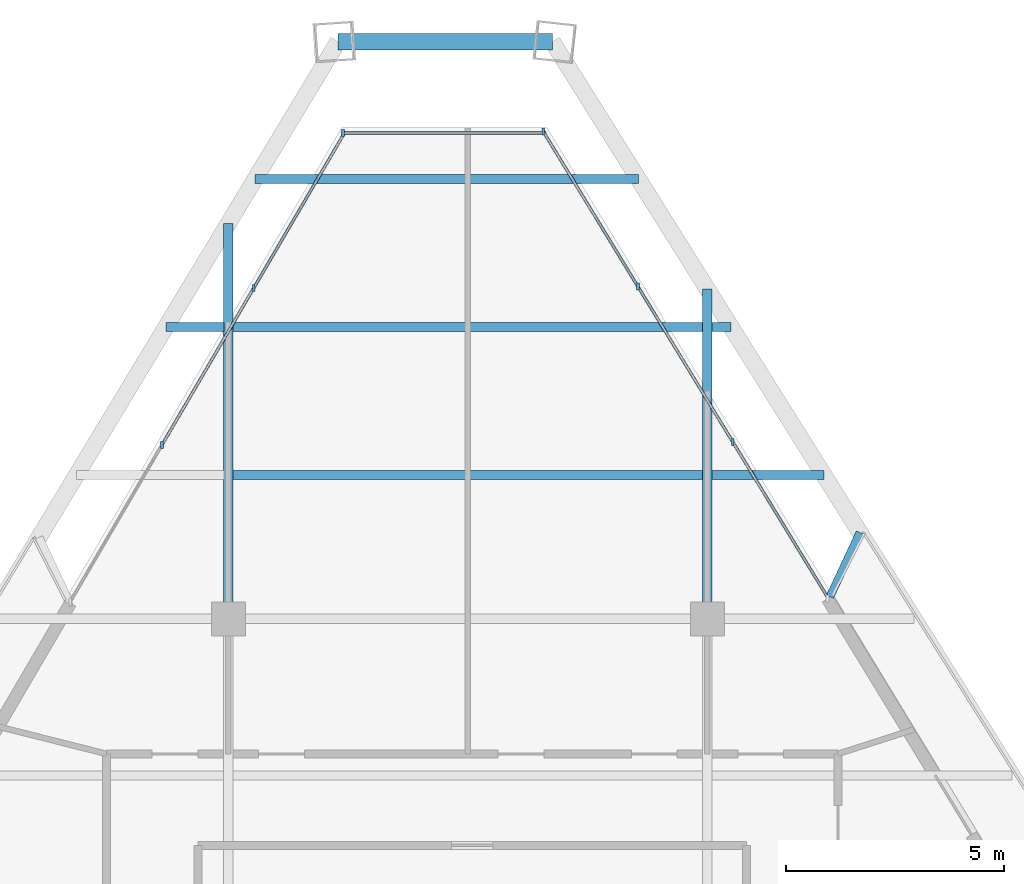
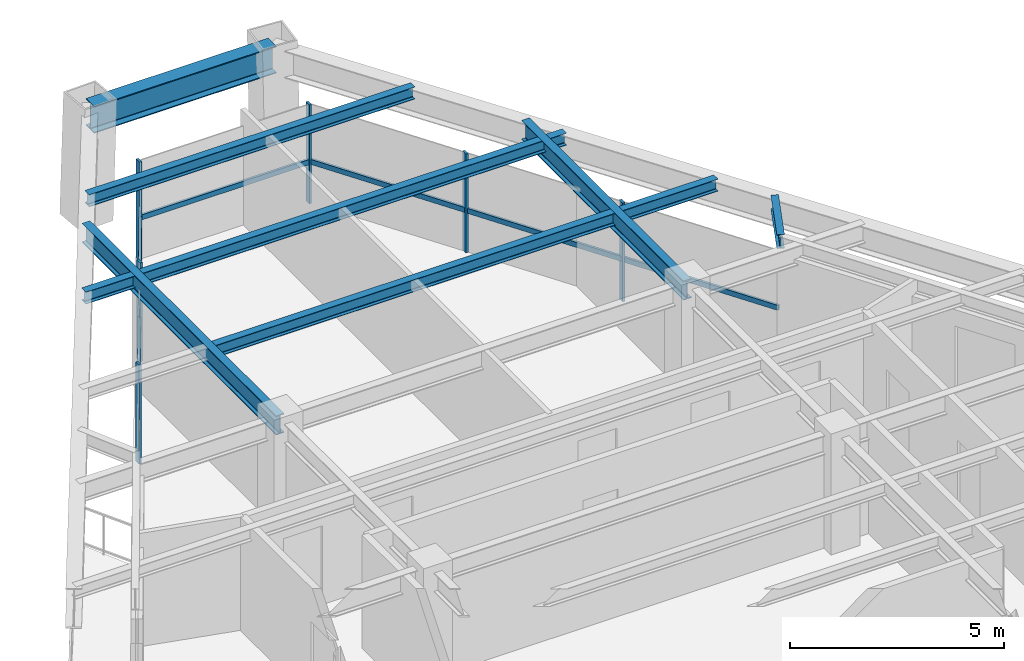
# One storey, part 7 of 13: 12 members, 9 beams, 3 elements without a shape of their own.
"""IFC4 building model written with IfcOpenShell, lengths in metres."""

from ifc_helpers import new_model, si_unit, direction, frame, origin, origin_2d, place, context, subcontext, project, spatial, rectangle, i_section, extrude, source, transform, mapped, material, material_profile, profile_set, type_object, type_shapes, element, aggregate, save


model = new_model("IFC4")

# Units and contexts
model_context = context("Model", 3, precision=1e-05, world=origin(), true_north=direction((0.0, 1.0)))
body_context = subcontext(model_context, "Body", "Model", "MODEL_VIEW")
ifc_project = project(units=[si_unit("LENGTHUNIT", "METRE"), si_unit("AREAUNIT", "SQUARE_METRE"), si_unit("VOLUMEUNIT", "CUBIC_METRE"), si_unit("PLANEANGLEUNIT", "RADIAN"), si_unit("MASSUNIT", "GRAM", prefix="KILO")], contexts=[model_context])

# Site, building, storey
site_placement = place(None, origin())
site = spatial("IfcSite", under=ifc_project, at=site_placement, CompositionType="ELEMENT")
building_placement = place(site_placement, origin())
building = spatial("IfcBuilding", under=site, at=building_placement, Name="Varnakhor Terracotta Tower", CompositionType="ELEMENT")
storey_placement = place(building_placement, frame((0.0, 0.0, 251.050048828125)))
storey = spatial("IfcBuildingStorey", under=building, at=storey_placement, Name="L65", CompositionType="ELEMENT", Elevation=251.050048828125)

# Beams
ifc_material_1 = material(Name="Steel S355", Category="steel")
ifc_material_profile_1 = material_profile(ifc_material_1, i_section(OverallWidth=0.202880859375, OverallDepth=0.346923828125, WebThickness=0.0078125, FlangeThickness=0.013427734375, FilletRadius=0.01806640625, at=origin_2d()), Name="W14X43")
ifc_profile_set_1 = profile_set([ifc_material_profile_1], Name="Steel S355")
beam_type_1 = type_object("IfcBeamType", Name="JST-W14X43", PredefinedType="JOIST", material=ifc_profile_set_1)
shared_shape_1 = source(origin(), body_context, "Body", "SweptSolid", [
    extrude(i_section(OverallWidth=0.202880859375, OverallDepth=0.346923828125, WebThickness=0.0078125, FlangeThickness=0.013427734375, FilletRadius=0.01806640625, at=origin_2d()), origin(), (0.0, 0.0, 1.0), 10.7939453125),
])
beam_1_placement = place(storey_placement, frame((-5.39697265625, 34.800048828125, 3.06640625), z_axis=(1.0, 0.0, 0.0), x_axis=(0.0, 1.0, 0.0)))
element("IfcBeam", 1, at=beam_1_placement, inside=storey, type_object=beam_type_1, Name="L65 Composite Floor Joist 7-2", PredefinedType="JOIST", context=body_context, shape_type="MappedRepresentation", body=[
    mapped(shared_shape_1, transform((0.0, 0.0, 0.0), scale=1.0)),
])
ifc_material_profile_2 = material_profile(ifc_material_1, i_section(OverallWidth=0.381103515625, OverallDepth=0.77294921875, WebThickness=0.01708984375, FlangeThickness=0.027099609375, FilletRadius=0.01806640625, at=origin_2d()), Name="W30X173")
ifc_profile_set_2 = profile_set([ifc_material_profile_2], Name="Steel S355")
beam_type_2 = type_object("IfcBeamType", Name="BM-W30X173", PredefinedType="BEAM", material=ifc_profile_set_2)
shared_shape_2 = source(origin(), body_context, "Body", "SweptSolid", [
    extrude(i_section(OverallWidth=0.381103515625, OverallDepth=0.77294921875, WebThickness=0.01708984375, FlangeThickness=0.027099609375, FilletRadius=0.01806640625, at=origin_2d()), origin(), (0.0, 0.0, 1.0), 4.9208984375),
])
beam_2_placement = place(storey_placement, frame((1.939697265625, 44.752197265625, 2.853515625), z_axis=(-1.0, 0.0, 0.0), x_axis=(0.0, -1.0, 0.0)))
element("IfcBeam", 2, at=beam_2_placement, inside=storey, type_object=beam_type_2, Name="L65 Perimeter Spandrel 5", PredefinedType="BEAM", context=body_context, shape_type="MappedRepresentation", body=[
    mapped(shared_shape_2, transform((0.0, 0.0, 0.0), scale=1.0)),
])
ifc_material_profile_3 = material_profile(ifc_material_1, i_section(OverallWidth=0.214111328125, OverallDepth=0.549072265625, WebThickness=0.014892578125, FlangeThickness=0.02392578125, FilletRadius=0.01806640625, at=origin_2d()), Name="W21X93")
ifc_profile_set_3 = profile_set([ifc_material_profile_3], Name="Steel S355")
beam_type_3 = type_object("IfcBeamType", Name="BM-W21X93", PredefinedType="BEAM", material=ifc_profile_set_3)
shared_shape_3 = source(origin(), body_context, "Body", "SweptSolid", [
    extrude(i_section(OverallWidth=0.214111328125, OverallDepth=0.549072265625, WebThickness=0.014892578125, FlangeThickness=0.02392578125, FilletRadius=0.01806640625, at=origin_2d()), origin(), (0.0, 0.0, 1.0), 9.076904296875),
])
beam_3_placement = place(storey_placement, frame((-5.5, 31.5, 2.96533203125), z_axis=(0.0, 1.0, 0.0), x_axis=(-1.0, 0.0, 0.0)))
element("IfcBeam", 3, at=beam_3_placement, inside=storey, type_object=beam_type_3, Name="L65 Primary Girder NS3-W", PredefinedType="BEAM", context=body_context, shape_type="MappedRepresentation", body=[
    mapped(shared_shape_3, transform((0.0, 0.0, 0.0), scale=1.0)),
])
shared_shape_4 = source(origin(), body_context, "Body", "SweptSolid", [
    extrude(i_section(OverallWidth=0.214111328125, OverallDepth=0.549072265625, WebThickness=0.014892578125, FlangeThickness=0.02392578125, FilletRadius=0.01806640625, at=origin_2d()), origin(), (0.0, 0.0, 1.0), 7.569580078125),
])
beam_4_placement = place(storey_placement, frame((5.5, 31.5, 2.96533203125), z_axis=(0.0, 1.0, 0.0), x_axis=(-1.0, 0.0, 0.0)))
element("IfcBeam", 4, at=beam_4_placement, inside=storey, type_object=beam_type_3, Name="L65 Primary Girder NS3-E", PredefinedType="BEAM", context=body_context, shape_type="MappedRepresentation", body=[
    mapped(shared_shape_4, transform((0.0, 0.0, 0.0), scale=1.0)),
])
shared_shape_5 = source(origin(), body_context, "Body", "SweptSolid", [
    extrude(i_section(OverallWidth=0.202880859375, OverallDepth=0.346923828125, WebThickness=0.0078125, FlangeThickness=0.013427734375, FilletRadius=0.01806640625, at=origin_2d()), origin(), (0.0, 0.0, 1.0), 2.572021484375),
])
beam_5_placement = place(storey_placement, frame((5.60302734375, 34.800048828125, 3.06640625), z_axis=(1.0, 0.0, 0.0), x_axis=(0.0, 1.0, 0.0)))
element("IfcBeam", 5, at=beam_5_placement, inside=storey, type_object=beam_type_1, Name="L65 Composite Floor Joist 7-3", PredefinedType="JOIST", context=body_context, shape_type="MappedRepresentation", body=[
    mapped(shared_shape_5, transform((0.0, 0.0, 0.0), scale=1.0)),
])
shared_shape_6 = source(origin(), body_context, "Body", "SweptSolid", [
    extrude(i_section(OverallWidth=0.202880859375, OverallDepth=0.346923828125, WebThickness=0.0078125, FlangeThickness=0.013427734375, FilletRadius=0.01806640625, at=origin_2d()), origin(), (0.0, 0.0, 1.0), 1.330810546875),
])
beam_6_placement = place(storey_placement, frame((-6.933837890625, 38.199951171875, 3.06640625), z_axis=(1.0, 0.0, 0.0), x_axis=(0.0, 1.0, 0.0)))
element("IfcBeam", 6, at=beam_6_placement, inside=storey, type_object=beam_type_1, Name="L65 Composite Floor Joist 8-1", PredefinedType="JOIST", context=body_context, shape_type="MappedRepresentation", body=[
    mapped(shared_shape_6, transform((0.0, 0.0, 0.0), scale=1.0)),
])
shared_shape_7 = source(origin(), body_context, "Body", "SweptSolid", [
    extrude(i_section(OverallWidth=0.202880859375, OverallDepth=0.346923828125, WebThickness=0.0078125, FlangeThickness=0.013427734375, FilletRadius=0.01806640625, at=origin_2d()), origin(), (0.0, 0.0, 1.0), 11.44189453125),
])
beam_7_placement = place(storey_placement, frame((-5.39697265625, 38.199951171875, 3.06640625), z_axis=(1.0, 0.0, 0.0), x_axis=(0.0, 1.0, 0.0)))
element("IfcBeam", 7, at=beam_7_placement, inside=storey, type_object=beam_type_1, Name="L65 Composite Floor Joist 8-2", PredefinedType="JOIST", context=body_context, shape_type="MappedRepresentation", body=[
    mapped(shared_shape_7, transform((0.0, 0.0, 0.0), scale=1.0)),
])
shared_shape_8 = source(origin(), body_context, "Body", "SweptSolid", [
    extrude(i_section(OverallWidth=0.202880859375, OverallDepth=0.346923828125, WebThickness=0.0078125, FlangeThickness=0.013427734375, FilletRadius=0.01806640625, at=origin_2d()), origin(), (0.0, 0.0, 1.0), 8.797607421875),
])
beam_8_placement = place(storey_placement, frame((-4.8828125, 41.60009765625, 3.06640625), z_axis=(1.0, 0.0, 0.0), x_axis=(0.0, 1.0, 0.0)))
element("IfcBeam", 8, at=beam_8_placement, inside=storey, type_object=beam_type_1, Name="L65 Composite Floor Joist 9-1", PredefinedType="JOIST", context=body_context, shape_type="MappedRepresentation", body=[
    mapped(shared_shape_8, transform((0.0, 0.0, 0.0), scale=1.0)),
])
ifc_material_profile_4 = material_profile(ifc_material_1, i_section(OverallWidth=0.179931640625, OverallDepth=0.39990234375, WebThickness=0.008544921875, FlangeThickness=0.013427734375, FilletRadius=0.01806640625, at=origin_2d()), Name="IPE400")
ifc_profile_set_4 = profile_set([ifc_material_profile_4], Name="Steel S355")
beam_type_4 = type_object("IfcBeamType", Name="JST-IPE400", PredefinedType="JOIST", material=ifc_profile_set_4)
shared_shape_9 = source(origin(), body_context, "Body", "SweptSolid", [
    extrude(i_section(OverallWidth=0.179931640625, OverallDepth=0.39990234375, WebThickness=0.008544921875, FlangeThickness=0.013427734375, FilletRadius=0.01806640625, at=origin_2d()), origin(), (0.0, 0.0, 1.0), 1.62939453125),
])
beam_9_placement = place(storey_placement, frame((8.311279296875, 32.005859375, 3.0400390625), z_axis=(0.422959283392, 0.906148687905, 0.0), x_axis=(-0.906148687905, 0.422959283392, 0.0)))
element("IfcBeam", 9, at=beam_9_placement, inside=storey, type_object=beam_type_4, Name="L66 E Loggia Tie Beam 1", PredefinedType="JOIST", context=body_context, shape_type="MappedRepresentation", body=[
    mapped(shared_shape_9, transform((0.0, 0.0, 0.0), scale=1.0)),
])

# Curtain wall, members
ifc_material_2 = material(Name="Anodised Aluminium Curtain Wall System", Category="aluminium")
curtain_wall_type = type_object("IfcCurtainWallType", Name="CW-SYS-HOTEL-LOGGIA", PredefinedType="NOTDEFINED", material=ifc_material_2)
curtain_wall_1_placement = place(storey_placement, origin())
curtain_wall_1 = element("IfcCurtainWall", 10, at=curtain_wall_1_placement, inside=storey, type_object=curtain_wall_type, Name="L65 W Facet Curtain Wall 2", PredefinedType="NOTDEFINED")
ifc_material_3 = material(Name="Anodised Aluminium 6063-T6", Category="aluminium")
ifc_material_profile_5 = material_profile(ifc_material_3, rectangle(XDim=0.06494140625, YDim=0.159912109375, at=origin_2d()), Name="ALU MULLION 65x160")
ifc_profile_set_5 = profile_set([ifc_material_profile_5], Name="Anodised Aluminium 6063-T6")
member_type_1 = type_object("IfcMemberType", Name="CWM-04", PredefinedType="MULLION", material=ifc_profile_set_5)
shared_shape_10 = source(origin(), body_context, "Body", "SweptSolid", [
    extrude(rectangle(XDim=0.06494140625, YDim=0.159912109375, at=origin_2d()), origin(), (0.0, 0.0, 1.0), 2.820068359375),
])
type_shapes(member_type_1, [shared_shape_10])
member_1_placement = place(storey_placement, frame((-7.0224609375, 35.49365234375, 0.0), z_axis=(0.0, 0.0, 1.0), x_axis=(1.0, 0.0, 0.0)))
member_1 = element("IfcMember", 11, at=member_1_placement, type_object=member_type_1, Name="L65 W Facet Curtain Wall 2 Mullion 2", PredefinedType="MULLION", context=body_context, shape_type="MappedRepresentation", body=[
    mapped(shared_shape_10, transform((0.0, 0.0, 0.0), scale=1.0)),
])
member_2_placement = place(storey_placement, frame((-4.9169921875, 39.092041015625, 0.0), z_axis=(0.0, 0.0, 1.0), x_axis=(1.0, 0.0, 0.0)))
member_2 = element("IfcMember", 12, at=member_2_placement, type_object=member_type_1, Name="L65 W Facet Curtain Wall 2 Mullion 3", PredefinedType="MULLION", context=body_context, shape_type="MappedRepresentation", body=[
    mapped(shared_shape_10, transform((0.0, 0.0, 0.0), scale=1.0)),
])

# Curtain wall, member
curtain_wall_2_placement = place(storey_placement, origin())
curtain_wall_2 = element("IfcCurtainWall", 13, at=curtain_wall_2_placement, inside=storey, type_object=curtain_wall_type, Name="L65 Facet Curtain Wall 2", PredefinedType="NOTDEFINED")
member_3_placement = place(storey_placement, frame((-2.8701171875, 42.65673828125, 0.0), z_axis=(0.0, 0.0, 1.0), x_axis=(1.0, 0.0, 0.0)))
member_3 = element("IfcMember", 14, at=member_3_placement, type_object=member_type_1, Name="L65 Facet Curtain Wall 2 Mullion 1", PredefinedType="MULLION", context=body_context, shape_type="MappedRepresentation", body=[
    mapped(shared_shape_10, transform((0.0, 0.0, 0.0), scale=1.0)),
])

# Curtain wall, members
curtain_wall_3_placement = place(storey_placement, origin())
curtain_wall_3 = element("IfcCurtainWall", 15, at=curtain_wall_3_placement, inside=storey, type_object=curtain_wall_type, Name="L65 E Facet Curtain Wall 1", PredefinedType="NOTDEFINED")
member_4_placement = place(storey_placement, frame((1.731689453125, 42.688720703125, 0.0), z_axis=(0.0, 0.0, 1.0), x_axis=(1.0, 0.0, 0.0)))
member_4 = element("IfcMember", 16, at=member_4_placement, type_object=member_type_1, Name="L65 E Facet Curtain Wall 1 Mullion 1", PredefinedType="MULLION", context=body_context, shape_type="MappedRepresentation", body=[
    mapped(shared_shape_10, transform((0.0, 0.0, 0.0), scale=1.0)),
])
member_5_placement = place(storey_placement, frame((3.906982421875, 39.125, 0.0), z_axis=(0.0, 0.0, 1.0), x_axis=(1.0, 0.0, 0.0)))
member_5 = element("IfcMember", 17, at=member_5_placement, type_object=member_type_1, Name="L65 E Facet Curtain Wall 1 Mullion 2", PredefinedType="MULLION", context=body_context, shape_type="MappedRepresentation", body=[
    mapped(shared_shape_10, transform((0.0, 0.0, 0.0), scale=1.0)),
])
member_6_placement = place(storey_placement, frame((6.08251953125, 35.561279296875, 0.0), z_axis=(0.0, 0.0, 1.0), x_axis=(1.0, 0.0, 0.0)))
member_6 = element("IfcMember", 18, at=member_6_placement, type_object=member_type_1, Name="L65 E Facet Curtain Wall 1 Mullion 3", PredefinedType="MULLION", context=body_context, shape_type="MappedRepresentation", body=[
    mapped(shared_shape_10, transform((0.0, 0.0, 0.0), scale=1.0)),
])

# Member
ifc_material_profile_6 = material_profile(ifc_material_3, rectangle(XDim=0.06494140625, YDim=0.14501953125, at=origin_2d()), Name="ALU TRANSOM 65x145")
ifc_profile_set_6 = profile_set([ifc_material_profile_6], Name="Anodised Aluminium 6063-T6")
member_type_2 = type_object("IfcMemberType", Name="CWT-04", PredefinedType="USERDEFINED", material=ifc_profile_set_6)
shared_shape_11 = source(origin(), body_context, "Body", "SweptSolid", [
    extrude(rectangle(XDim=0.06494140625, YDim=0.14501953125, at=origin_2d()), origin(), (0.0, 0.0, 1.0), 4.169189453125),
])
member_7_placement = place(storey_placement, frame((-7.0224609375, 35.49365234375, 1.184326171875), z_axis=(0.505017498829, 0.863109104272, 0.0), x_axis=(-0.863109104272, 0.505017498829, 0.0)))
member_7 = element("IfcMember", 19, at=member_7_placement, type_object=member_type_2, Name="L65 W Facet Curtain Wall 2 Transom 2", ObjectType="TRANSOM", PredefinedType="USERDEFINED", context=body_context, shape_type="MappedRepresentation", body=[
    mapped(shared_shape_11, transform((0.0, 0.0, 0.0), scale=1.0)),
])

shared_shape_12 = source(origin(), body_context, "Body", "SweptSolid", [
    extrude(rectangle(XDim=0.06494140625, YDim=0.14501953125, at=origin_2d()), origin(), (0.0, 0.0, 1.0), 4.1689453125),
])
member_8_placement = place(storey_placement, frame((-4.9169921875, 39.092041015625, 1.184326171875), z_axis=(0.505043025136, 0.863094167957, 0.0), x_axis=(-0.863094167957, 0.505043025136, 0.0)))
member_8 = element("IfcMember", 20, at=member_8_placement, type_object=member_type_2, Name="L65 W Facet Curtain Wall 2 Transom 3", ObjectType="TRANSOM", PredefinedType="USERDEFINED", context=body_context, shape_type="MappedRepresentation", body=[
    mapped(shared_shape_12, transform((0.0, 0.0, 0.0), scale=1.0)),
])

aggregate(curtain_wall_1, [member_1, member_7, member_2, member_8])

shared_shape_13 = source(origin(), body_context, "Body", "SweptSolid", [
    extrude(rectangle(XDim=0.06494140625, YDim=0.14501953125, at=origin_2d()), origin(), (0.0, 0.0, 1.0), 4.65869140625),
])
member_9_placement = place(storey_placement, frame((-2.8701171875, 42.65673828125, 1.184326171875), z_axis=(1.0, 0.0, 0.0), x_axis=(0.0, 1.0, 0.0)))
member_9 = element("IfcMember", 21, at=member_9_placement, type_object=member_type_2, Name="L65 Facet Curtain Wall 2 Transom 1", ObjectType="TRANSOM", PredefinedType="USERDEFINED", context=body_context, shape_type="MappedRepresentation", body=[
    mapped(shared_shape_13, transform((0.0, 0.0, 0.0), scale=1.0)),
])

aggregate(curtain_wall_2, [member_3, member_9])

shared_shape_14 = source(origin(), body_context, "Body", "SweptSolid", [
    extrude(rectangle(XDim=0.06494140625, YDim=0.14501953125, at=origin_2d()), origin(), (0.0, 0.0, 1.0), 4.175048828125),
])
member_10_placement = place(storey_placement, frame((1.731689453125, 42.688720703125, 1.184326171875), z_axis=(0.521007635788, -0.853552015668, 0.0), x_axis=(0.853552015668, 0.521007635788, 0.0)))
member_10 = element("IfcMember", 22, at=member_10_placement, type_object=member_type_2, Name="L65 E Facet Curtain Wall 1 Transom 1", ObjectType="TRANSOM", PredefinedType="USERDEFINED", context=body_context, shape_type="MappedRepresentation", body=[
    mapped(shared_shape_14, transform((0.0, 0.0, 0.0), scale=1.0)),
])

shared_shape_15 = source(origin(), body_context, "Body", "SweptSolid", [
    extrude(rectangle(XDim=0.06494140625, YDim=0.14501953125, at=origin_2d()), origin(), (0.0, 0.0, 1.0), 4.17529296875),
])
member_11_placement = place(storey_placement, frame((3.906982421875, 39.125, 1.184326171875), z_axis=(0.521050235486, -0.853526011378, 0.0), x_axis=(0.853526011378, 0.521050235486, 0.0)))
member_11 = element("IfcMember", 23, at=member_11_placement, type_object=member_type_2, Name="L65 E Facet Curtain Wall 1 Transom 2", ObjectType="TRANSOM", PredefinedType="USERDEFINED", context=body_context, shape_type="MappedRepresentation", body=[
    mapped(shared_shape_15, transform((0.0, 0.0, 0.0), scale=1.0)),
])

member_12_placement = place(storey_placement, frame((6.08251953125, 35.561279296875, 1.184326171875), z_axis=(0.520981632826, -0.853567887317, 0.0), x_axis=(0.853567887317, 0.520981632826, 0.0)))
member_12 = element("IfcMember", 24, at=member_12_placement, type_object=member_type_2, Name="L65 E Facet Curtain Wall 1 Transom 3", ObjectType="TRANSOM", PredefinedType="USERDEFINED", context=body_context, shape_type="MappedRepresentation", body=[
    mapped(shared_shape_15, transform((0.0, 0.0, 0.0), scale=1.0)),
])

aggregate(curtain_wall_3, [member_4, member_10, member_5, member_11, member_6, member_12])

save(model, "model.ifc")
